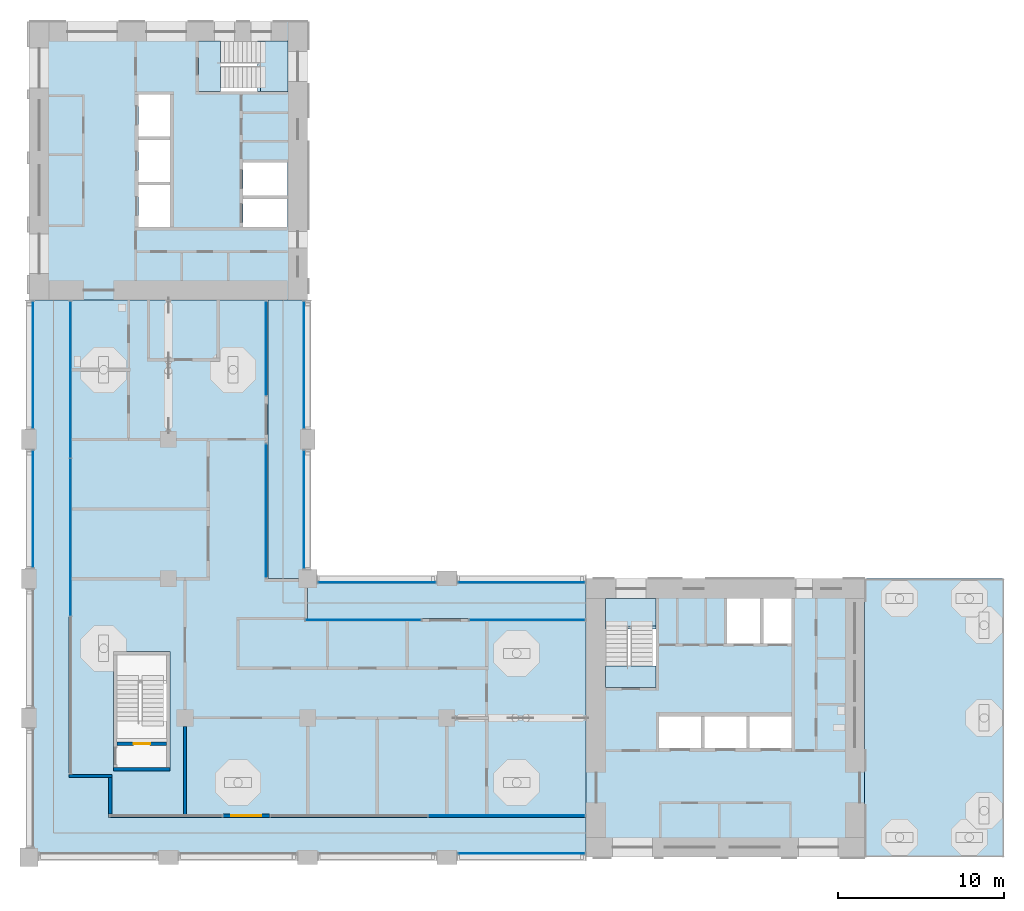
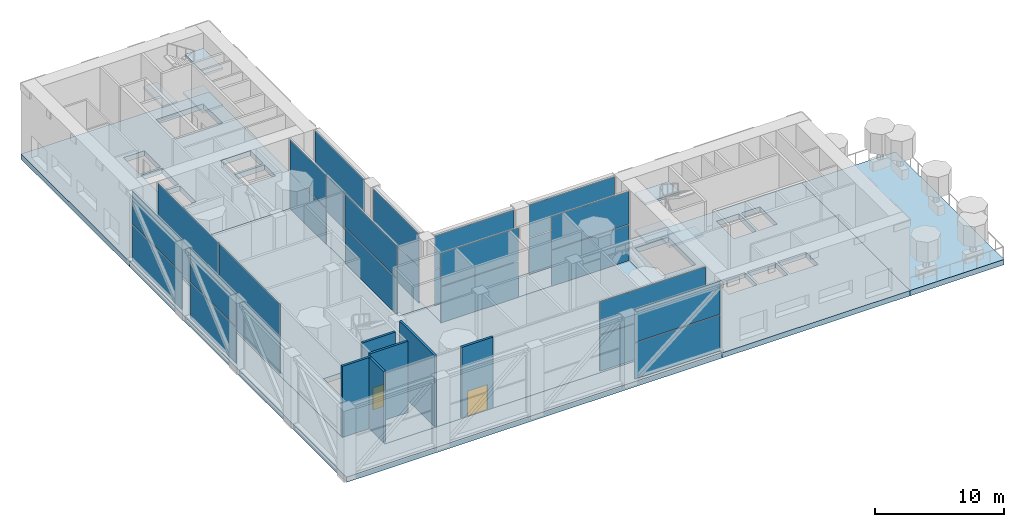
# One storey, part 6 of 20: 28 plates, 13 slabs, 6 walls, 2 doors, 2 openings, 15 elements without a shape of their own.
"""IFC4 building model written with IfcOpenShell, lengths in metres."""

from ifc_helpers import new_model, si_unit, direction, frame, frame_2d, origin, origin_2d, place, context, subcontext, project, spatial, polyline, rectangle, outline, extrude, material, layer, layer_set, type_object, element, fill, aggregate, save


model = new_model("IFC4")

# Units and contexts
model_context = context("Model", 3, precision=1e-05, world=origin(), true_north=direction((0.0, 1.0)))
body_context = subcontext(model_context, "Body", "Model", "MODEL_VIEW")
ifc_project = project(units=[si_unit("LENGTHUNIT", "METRE"), si_unit("AREAUNIT", "SQUARE_METRE"), si_unit("VOLUMEUNIT", "CUBIC_METRE"), si_unit("PLANEANGLEUNIT", "RADIAN"), si_unit("MASSUNIT", "GRAM", prefix="KILO")], contexts=[model_context])

# Site, building, storey
site_placement = place(None, origin())
site = spatial("IfcSite", under=ifc_project, at=site_placement, CompositionType="ELEMENT")
building_placement = place(site_placement, origin())
building = spatial("IfcBuilding", under=site, at=building_placement, Name="Vermilion Gate Residences", CompositionType="ELEMENT")
storey_placement = place(building_placement, frame((0.0, 0.0, 207.199951171875)))
storey = spatial("IfcBuildingStorey", under=building, at=storey_placement, Name="L54", CompositionType="ELEMENT", Elevation=207.199951171875)

# Slabs
ifc_material_1 = material(Name="Concrete C50", Category="concrete")
ifc_layer_1 = layer(ifc_material_1, 0.5)
ifc_layer_set_1 = layer_set([ifc_layer_1], Name="RC CORE FLOOR SLAB 500 C50")
slab_type_1 = type_object("IfcSlabType", Name="RC CORE FLOOR SLAB 500 C50", PredefinedType="FLOOR", material=ifc_layer_set_1)
slab_1_placement = place(storey_placement, frame((0.0, 0.0, -0.5)))
element("IfcSlab", 1, at=slab_1_placement, inside=storey, type_object=slab_type_1, Name="Core floor slab A54", PredefinedType="FLOOR", context=body_context, shape_type="SweptSolid", body=[
    extrude(outline(polyline([(42.0, 8.39990234375), (58.800048828125, 8.39990234375), (58.800048828125, 25.199951171875), (42.0, 25.199951171875), (42.0, 8.39990234375)]), holes=[polyline([(46.39990234375, 15.0), (46.39990234375, 16.89990234375), (48.933349609375, 16.89990234375), (48.933349609375, 15.0), (46.39990234375, 15.0)]), polyline([(49.13330078125, 16.89990234375), (51.666748046875, 16.89990234375), (51.666748046875, 15.0), (49.13330078125, 15.0), (49.13330078125, 16.89990234375)]), polyline([(51.86669921875, 16.89990234375), (54.39990234375, 16.89990234375), (54.39990234375, 15.0), (51.86669921875, 15.0), (51.86669921875, 16.89990234375)]), polyline([(43.199951171875, 19.75), (43.199951171875, 24.0), (46.199951171875, 24.0), (46.199951171875, 19.75), (43.199951171875, 19.75)]), polyline([(50.5, 24.0), (52.5, 24.0), (52.5, 21.300048828125), (50.5, 21.300048828125), (50.5, 24.0)]), polyline([(52.699951171875, 24.0), (54.39990234375, 24.0), (54.39990234375, 21.300048828125), (52.699951171875, 21.300048828125), (52.699951171875, 24.0)])]), origin(), (0.0, 0.0, 1.0), 0.5),
])
slab_2_placement = place(storey_placement, frame((0.0, 0.0, -0.5)))
element("IfcSlab", 2, at=slab_2_placement, inside=storey, type_object=slab_type_1, Name="Core floor slab B54", PredefinedType="FLOOR", context=body_context, shape_type="SweptSolid", body=[
    extrude(outline(polyline([(8.39990234375, 42.0), (25.199951171875, 42.0), (25.199951171875, 58.800048828125), (8.39990234375, 58.800048828125), (8.39990234375, 42.0)]), holes=[polyline([(21.300048828125, 46.39990234375), (21.300048828125, 48.10009765625), (24.0, 48.10009765625), (24.0, 46.39990234375), (21.300048828125, 46.39990234375)]), polyline([(15.0, 48.933349609375), (16.89990234375, 48.933349609375), (16.89990234375, 46.39990234375), (15.0, 46.39990234375), (15.0, 48.933349609375)]), polyline([(21.300048828125, 50.300048828125), (24.0, 50.300048828125), (24.0, 48.300048828125), (21.300048828125, 48.300048828125), (21.300048828125, 50.300048828125)]), polyline([(15.0, 49.13330078125), (15.0, 51.666748046875), (16.89990234375, 51.666748046875), (16.89990234375, 49.13330078125), (15.0, 49.13330078125)]), polyline([(15.0, 54.39990234375), (16.89990234375, 54.39990234375), (16.89990234375, 51.86669921875), (15.0, 51.86669921875), (15.0, 54.39990234375)]), polyline([(19.75, 57.60009765625), (24.0, 57.60009765625), (24.0, 54.60009765625), (19.75, 54.60009765625), (19.75, 57.60009765625)])]), origin(), (0.0, 0.0, 1.0), 0.5),
])
ifc_material_2 = material(Name="Concrete C60 red-oxide pigmented", Category="concrete")
ifc_layer_2 = layer(ifc_material_2, 0.5)
ifc_layer_set_2 = layer_set([ifc_layer_2], Name="RC LOGGIA SLAB 500 C60")
slab_type_2 = type_object("IfcSlabType", Name="RC LOGGIA SLAB 500 C60", PredefinedType="FLOOR", material=ifc_layer_set_2)
slab_3_placement = place(storey_placement, frame((0.0, 0.0, -0.5)))
element("IfcSlab", 3, at=slab_3_placement, inside=storey, type_object=slab_type_2, Name="Loggia slab L54", PredefinedType="FLOOR", context=body_context, shape_type="SweptSolid", body=[
    extrude(outline(polyline([(8.39990234375, 8.39990234375), (42.0, 8.39990234375), (42.0, 10.800048828125), (13.199951171875, 10.800048828125), (13.199951171875, 13.199951171875), (10.800048828125, 13.199951171875), (10.800048828125, 42.0), (8.39990234375, 42.0), (8.39990234375, 8.39990234375)])), origin(), (0.0, 0.0, 1.0), 0.5),
])
slab_4_placement = place(storey_placement, frame((0.0, 0.0, -0.5)))
element("IfcSlab", 4, at=slab_4_placement, inside=storey, type_object=slab_type_2, Name="Loggia slab L54", PredefinedType="FLOOR", context=body_context, shape_type="SweptSolid", body=[
    extrude(outline(polyline([(25.199951171875, 22.800048828125), (42.0, 22.800048828125), (42.0, 25.199951171875), (25.199951171875, 25.199951171875), (25.199951171875, 22.800048828125)])), origin(), (0.0, 0.0, 1.0), 0.5),
])
slab_5_placement = place(storey_placement, frame((0.0, 0.0, -0.5)))
element("IfcSlab", 5, at=slab_5_placement, inside=storey, type_object=slab_type_2, Name="Loggia slab L54", PredefinedType="FLOOR", context=body_context, shape_type="SweptSolid", body=[
    extrude(outline(polyline([(25.199951171875, 42.0), (22.800048828125, 42.0), (22.800048828125, 25.199951171875), (25.199951171875, 25.199951171875), (25.199951171875, 42.0)])), origin(), (0.0, 0.0, 1.0), 0.5),
])
ifc_material_3 = material(Name="Concrete C60", Category="concrete")
ifc_layer_3 = layer(ifc_material_3, 0.5)
ifc_layer_set_3 = layer_set([ifc_layer_3], Name="RC SKY FLOOR SLAB 500 C60")
slab_type_3 = type_object("IfcSlabType", Name="RC SKY FLOOR SLAB 500 C60", PredefinedType="FLOOR", material=ifc_layer_set_3)
slab_6_placement = place(storey_placement, frame((0.0, 0.0, -0.5)))
element("IfcSlab", 6, at=slab_6_placement, inside=storey, type_object=slab_type_3, Name="Floor slab L54", PredefinedType="FLOOR", context=body_context, shape_type="SweptSolid", body=[
    extrude(outline(polyline([(22.800048828125, 25.199951171875), (22.800048828125, 42.0), (10.800048828125, 42.0), (10.800048828125, 13.199951171875), (13.199951171875, 13.199951171875), (13.199951171875, 10.800048828125), (42.0, 10.800048828125), (42.0, 22.800048828125), (25.199951171875, 22.800048828125), (25.199951171875, 25.199951171875), (22.800048828125, 25.199951171875)]), holes=[polyline([(13.5, 13.60009765625), (13.5, 20.800048828125), (16.89990234375, 20.800048828125), (16.89990234375, 13.60009765625), (13.5, 13.60009765625)])]), origin(), (0.0, 0.0, 1.0), 0.5),
])
ifc_material_4 = material(Name="Concrete C60", Category="concrete")
ifc_layer_4 = layer(ifc_material_4, 0.5)
ifc_layer_set_4 = layer_set([ifc_layer_4], Name="RC TERRACE SLAB 500 C60")
slab_type_4 = type_object("IfcSlabType", Name="RC TERRACE SLAB 500 C60", PredefinedType="FLOOR", material=ifc_layer_set_4)
slab_7_placement = place(storey_placement, frame((0.0, 0.0, -0.5)))
element("IfcSlab", 7, at=slab_7_placement, inside=storey, type_object=slab_type_4, Name="Terrace slab L54", PredefinedType="FLOOR", context=body_context, shape_type="SweptSolid", body=[
    extrude(outline(polyline([(67.199951171875, 8.39990234375), (67.199951171875, 25.199951171875), (58.800048828125, 25.199951171875), (58.800048828125, 8.39990234375), (67.199951171875, 8.39990234375)])), origin(), (0.0, 0.0, 1.0), 0.5),
])

# Curtain wall, plates
ifc_material_5 = material(Name="Aluminium and glass", Category="aluminium")
curtain_wall_type = type_object("IfcCurtainWallType", Name="SKY GARDEN GLAZING CURTAIN WALL", PredefinedType="NOTDEFINED", material=ifc_material_5)
curtain_wall_1_placement = place(storey_placement, origin())
curtain_wall_1 = element("IfcCurtainWall", 8, at=curtain_wall_1_placement, inside=storey, type_object=curtain_wall_type, Name="Sky Garden Glazing 0", PredefinedType="NOTDEFINED")
ifc_material_6 = material(Name="Clear laminated glass", Category="glass")
ifc_layer_5 = layer(ifc_material_6, 0.035888671875)
ifc_layer_set_5 = layer_set([ifc_layer_5], Name="SKY GARDEN GLAZING GLASS PANEL 36")
plate_type = type_object("IfcPlateType", Name="SKY GARDEN GLAZING GLASS PANEL 36", PredefinedType="CURTAIN_PANEL", material=ifc_layer_set_5)
plate_1_placement = place(storey_placement, frame((10.89990234375, 37.21337890625, 0.080078125), z_axis=(0.0, 0.0, 1.0), x_axis=(0.0, -1.0, 0.0)))
plate_1 = element("IfcPlate", 9, at=plate_1_placement, type_object=plate_type, Name="ECW3 panel 1.1", PredefinedType="CURTAIN_PANEL", context=body_context, shape_type="SweptSolid", body=[
    extrude(rectangle(XDim=9.413330078125, YDim=0.035888671875, at=origin_2d()), origin(), (0.0, 0.0, 1.0), 3.3798828125),
])
plate_2_placement = place(storey_placement, frame((10.89990234375, 37.21337890625, 3.5400390625), z_axis=(0.0, 0.0, 1.0), x_axis=(0.0, -1.0, 0.0)))
plate_2 = element("IfcPlate", 10, at=plate_2_placement, type_object=plate_type, Name="ECW3 panel 1.2", PredefinedType="CURTAIN_PANEL", context=body_context, shape_type="SweptSolid", body=[
    extrude(rectangle(XDim=9.413330078125, YDim=0.035888671875, at=origin_2d()), origin(), (0.0, 0.0, 1.0), 3.10009765625),
])
plate_3_placement = place(storey_placement, frame((10.89990234375, 27.699951171875, 0.080078125), z_axis=(0.0, 0.0, 1.0), x_axis=(0.0, -1.0, 0.0)))
plate_3 = element("IfcPlate", 11, at=plate_3_placement, type_object=plate_type, Name="ECW3 panel 2.1", PredefinedType="CURTAIN_PANEL", context=body_context, shape_type="SweptSolid", body=[
    extrude(rectangle(XDim=9.453369140625, YDim=0.035888671875, at=origin_2d()), origin(), (0.0, 0.0, 1.0), 3.3798828125),
])
plate_4_placement = place(storey_placement, frame((10.89990234375, 27.699951171875, 3.5400390625), z_axis=(0.0, 0.0, 1.0), x_axis=(0.0, -1.0, 0.0)))
plate_4 = element("IfcPlate", 12, at=plate_4_placement, type_object=plate_type, Name="ECW3 panel 2.2", PredefinedType="CURTAIN_PANEL", context=body_context, shape_type="SweptSolid", body=[
    extrude(rectangle(XDim=9.453369140625, YDim=0.035888671875, at=origin_2d()), origin(), (0.0, 0.0, 1.0), 3.10009765625),
])
aggregate(curtain_wall_1, [plate_1, plate_2, plate_3, plate_4])

curtain_wall_2_placement = place(storey_placement, origin())
curtain_wall_2 = element("IfcCurtainWall", 13, at=curtain_wall_2_placement, inside=storey, type_object=curtain_wall_type, Name="Sky Garden Glazing 32", PredefinedType="NOTDEFINED")
plate_5_placement = place(storey_placement, frame((37.205078125, 10.89990234375, 0.080078125), z_axis=(0.0, 0.0, 1.0), x_axis=(1.0, 0.0, 0.0)))
plate_5 = element("IfcPlate", 14, at=plate_5_placement, type_object=plate_type, Name="ECW3 panel 2.1", PredefinedType="CURTAIN_PANEL", context=body_context, shape_type="SweptSolid", body=[
    extrude(rectangle(XDim=9.429931640625, YDim=0.035888671875, at=origin_2d()), origin(), (0.0, 0.0, 1.0), 3.3798828125),
])
plate_6_placement = place(storey_placement, frame((37.205078125, 10.89990234375, 3.5400390625), z_axis=(0.0, 0.0, 1.0), x_axis=(1.0, 0.0, 0.0)))
plate_6 = element("IfcPlate", 15, at=plate_6_placement, type_object=plate_type, Name="ECW3 panel 2.2", PredefinedType="CURTAIN_PANEL", context=body_context, shape_type="SweptSolid", body=[
    extrude(rectangle(XDim=9.429931640625, YDim=0.035888671875, at=origin_2d()), origin(), (0.0, 0.0, 1.0), 3.10009765625),
])
aggregate(curtain_wall_2, [plate_5, plate_6])

curtain_wall_3_placement = place(storey_placement, origin())
curtain_wall_3 = element("IfcCurtainWall", 16, at=curtain_wall_3_placement, inside=storey, type_object=curtain_wall_type, Name="Sky Garden Glazing 40", PredefinedType="NOTDEFINED")
plate_7_placement = place(storey_placement, frame((38.449951171875, 22.699951171875, 0.080078125), z_axis=(0.0, 0.0, 1.0), x_axis=(-1.0, 0.0, 0.0)))
plate_7 = element("IfcPlate", 17, at=plate_7_placement, type_object=plate_type, Name="ECW3 panel 1.1", PredefinedType="CURTAIN_PANEL", context=body_context, shape_type="SweptSolid", body=[
    extrude(rectangle(XDim=6.93994140625, YDim=0.035888671875, at=origin_2d()), origin(), (0.0, 0.0, 1.0), 3.3798828125),
])
plate_8_placement = place(storey_placement, frame((38.449951171875, 22.699951171875, 3.5400390625), z_axis=(0.0, 0.0, 1.0), x_axis=(-1.0, 0.0, 0.0)))
plate_8 = element("IfcPlate", 18, at=plate_8_placement, type_object=plate_type, Name="ECW3 panel 1.2", PredefinedType="CURTAIN_PANEL", context=body_context, shape_type="SweptSolid", body=[
    extrude(rectangle(XDim=6.93994140625, YDim=0.035888671875, at=origin_2d()), origin(), (0.0, 0.0, 1.0), 3.10009765625),
])
aggregate(curtain_wall_3, [plate_7, plate_8])

curtain_wall_4_placement = place(storey_placement, origin())
curtain_wall_4 = element("IfcCurtainWall", 19, at=curtain_wall_4_placement, inside=storey, type_object=curtain_wall_type, Name="Sky Garden Glazing 42", PredefinedType="NOTDEFINED")
plate_9_placement = place(storey_placement, frame((28.550048828125, 22.699951171875, 0.080078125), z_axis=(0.0, 0.0, 1.0), x_axis=(-1.0, 0.0, 0.0)))
plate_9 = element("IfcPlate", 20, at=plate_9_placement, type_object=plate_type, Name="ECW3 panel 1.1", PredefinedType="CURTAIN_PANEL", context=body_context, shape_type="SweptSolid", body=[
    extrude(rectangle(XDim=6.93994140625, YDim=0.035888671875, at=origin_2d()), origin(), (0.0, 0.0, 1.0), 3.3798828125),
])
plate_10_placement = place(storey_placement, frame((28.550048828125, 22.699951171875, 3.5400390625), z_axis=(0.0, 0.0, 1.0), x_axis=(-1.0, 0.0, 0.0)))
plate_10 = element("IfcPlate", 21, at=plate_10_placement, type_object=plate_type, Name="ECW3 panel 1.2", PredefinedType="CURTAIN_PANEL", context=body_context, shape_type="SweptSolid", body=[
    extrude(rectangle(XDim=6.93994140625, YDim=0.035888671875, at=origin_2d()), origin(), (0.0, 0.0, 1.0), 3.10009765625),
])
aggregate(curtain_wall_4, [plate_9, plate_10])

curtain_wall_5_placement = place(storey_placement, origin())
curtain_wall_5 = element("IfcCurtainWall", 22, at=curtain_wall_5_placement, inside=storey, type_object=curtain_wall_type, Name="Sky Garden Glazing 70", PredefinedType="NOTDEFINED")
plate_11_placement = place(storey_placement, frame((22.699951171875, 29.300048828125, 0.080078125), z_axis=(0.0, 0.0, 1.0), x_axis=(0.0, 1.0, 0.0)))
plate_11 = element("IfcPlate", 23, at=plate_11_placement, type_object=plate_type, Name="ECW3 panel 1.1", PredefinedType="CURTAIN_PANEL", context=body_context, shape_type="SweptSolid", body=[
    extrude(rectangle(XDim=8.0400390625, YDim=0.035888671875, at=origin_2d()), origin(), (0.0, 0.0, 1.0), 3.3798828125),
])
plate_12_placement = place(storey_placement, frame((22.699951171875, 29.300048828125, 3.5400390625), z_axis=(0.0, 0.0, 1.0), x_axis=(0.0, 1.0, 0.0)))
plate_12 = element("IfcPlate", 24, at=plate_12_placement, type_object=plate_type, Name="ECW3 panel 1.2", PredefinedType="CURTAIN_PANEL", context=body_context, shape_type="SweptSolid", body=[
    extrude(rectangle(XDim=8.0400390625, YDim=0.035888671875, at=origin_2d()), origin(), (0.0, 0.0, 1.0), 3.10009765625),
])
aggregate(curtain_wall_5, [plate_11, plate_12])

curtain_wall_6_placement = place(storey_placement, origin())
curtain_wall_6 = element("IfcCurtainWall", 25, at=curtain_wall_6_placement, inside=storey, type_object=curtain_wall_type, Name="Sky Garden Glazing 72", PredefinedType="NOTDEFINED")
plate_13_placement = place(storey_placement, frame((22.699951171875, 39.10009765625, 0.080078125), z_axis=(0.0, 0.0, 1.0), x_axis=(0.0, 1.0, 0.0)))
plate_13 = element("IfcPlate", 26, at=plate_13_placement, type_object=plate_type, Name="ECW3 panel 1.1", PredefinedType="CURTAIN_PANEL", context=body_context, shape_type="SweptSolid", body=[
    extrude(rectangle(XDim=5.639892578125, YDim=0.035888671875, at=origin_2d()), origin(), (0.0, 0.0, 1.0), 3.3798828125),
])
plate_14_placement = place(storey_placement, frame((22.699951171875, 39.10009765625, 3.5400390625), z_axis=(0.0, 0.0, 1.0), x_axis=(0.0, 1.0, 0.0)))
plate_14 = element("IfcPlate", 27, at=plate_14_placement, type_object=plate_type, Name="ECW3 panel 1.2", PredefinedType="CURTAIN_PANEL", context=body_context, shape_type="SweptSolid", body=[
    extrude(rectangle(XDim=5.639892578125, YDim=0.035888671875, at=origin_2d()), origin(), (0.0, 0.0, 1.0), 3.10009765625),
])
aggregate(curtain_wall_6, [plate_13, plate_14])

curtain_wall_7_placement = place(storey_placement, origin())
curtain_wall_7 = element("IfcCurtainWall", 28, at=curtain_wall_7_placement, inside=storey, type_object=curtain_wall_type, Name="Sky Garden Glazing 500", PredefinedType="NOTDEFINED")
plate_15_placement = place(storey_placement, frame((8.6298828125, 38.10009765625, 0.080078125), z_axis=(0.0, 0.0, 1.0), x_axis=(0.0, -1.0, 0.0)))
plate_15 = element("IfcPlate", 29, at=plate_15_placement, type_object=plate_type, Name="ECW3 panel 1.1", PredefinedType="CURTAIN_PANEL", context=body_context, shape_type="SweptSolid", body=[
    extrude(rectangle(XDim=7.639892578125, YDim=0.035888671875, at=origin_2d()), origin(), (0.0, 0.0, 1.0), 3.3798828125),
])
plate_16_placement = place(storey_placement, frame((8.6298828125, 38.10009765625, 3.5400390625), z_axis=(0.0, 0.0, 1.0), x_axis=(0.0, -1.0, 0.0)))
plate_16 = element("IfcPlate", 30, at=plate_16_placement, type_object=plate_type, Name="ECW3 panel 1.2", PredefinedType="CURTAIN_PANEL", context=body_context, shape_type="SweptSolid", body=[
    extrude(rectangle(XDim=7.639892578125, YDim=0.035888671875, at=origin_2d()), origin(), (0.0, 0.0, 1.0), 3.10009765625),
])
aggregate(curtain_wall_7, [plate_15, plate_16])

curtain_wall_8_placement = place(storey_placement, origin())
curtain_wall_8 = element("IfcCurtainWall", 31, at=curtain_wall_8_placement, inside=storey, type_object=curtain_wall_type, Name="Sky Garden Glazing 501", PredefinedType="NOTDEFINED")
plate_17_placement = place(storey_placement, frame((8.6298828125, 29.39990234375, 0.080078125), z_axis=(0.0, 0.0, 1.0), x_axis=(0.0, -1.0, 0.0)))
plate_17 = element("IfcPlate", 32, at=plate_17_placement, type_object=plate_type, Name="ECW3 panel 1.1", PredefinedType="CURTAIN_PANEL", context=body_context, shape_type="SweptSolid", body=[
    extrude(rectangle(XDim=7.0400390625, YDim=0.035888671875, at=origin_2d()), origin(), (0.0, 0.0, 1.0), 3.3798828125),
])
plate_18_placement = place(storey_placement, frame((8.6298828125, 29.39990234375, 3.5400390625), z_axis=(0.0, 0.0, 1.0), x_axis=(0.0, -1.0, 0.0)))
plate_18 = element("IfcPlate", 33, at=plate_18_placement, type_object=plate_type, Name="ECW3 panel 1.2", PredefinedType="CURTAIN_PANEL", context=body_context, shape_type="SweptSolid", body=[
    extrude(rectangle(XDim=7.0400390625, YDim=0.035888671875, at=origin_2d()), origin(), (0.0, 0.0, 1.0), 3.10009765625),
])
aggregate(curtain_wall_8, [plate_17, plate_18])

curtain_wall_9_placement = place(storey_placement, origin())
curtain_wall_9 = element("IfcCurtainWall", 34, at=curtain_wall_9_placement, inside=storey, type_object=curtain_wall_type, Name="Sky Garden Glazing 507", PredefinedType="NOTDEFINED")
plate_19_placement = place(storey_placement, frame((38.10009765625, 8.6298828125, 0.080078125), z_axis=(0.0, 0.0, 1.0), x_axis=(1.0, 0.0, 0.0)))
plate_19 = element("IfcPlate", 35, at=plate_19_placement, type_object=plate_type, Name="ECW3 panel 1.1", PredefinedType="CURTAIN_PANEL", context=body_context, shape_type="SweptSolid", body=[
    extrude(rectangle(XDim=7.639892578125, YDim=0.035888671875, at=origin_2d()), origin(), (0.0, 0.0, 1.0), 3.3798828125),
])
plate_20_placement = place(storey_placement, frame((38.10009765625, 8.6298828125, 3.5400390625), z_axis=(0.0, 0.0, 1.0), x_axis=(1.0, 0.0, 0.0)))
plate_20 = element("IfcPlate", 36, at=plate_20_placement, type_object=plate_type, Name="ECW3 panel 1.2", PredefinedType="CURTAIN_PANEL", context=body_context, shape_type="SweptSolid", body=[
    extrude(rectangle(XDim=7.639892578125, YDim=0.035888671875, at=origin_2d()), origin(), (0.0, 0.0, 1.0), 3.10009765625),
])
aggregate(curtain_wall_9, [plate_19, plate_20])

curtain_wall_10_placement = place(storey_placement, origin())
curtain_wall_10 = element("IfcCurtainWall", 37, at=curtain_wall_10_placement, inside=storey, type_object=curtain_wall_type, Name="Sky Garden Glazing 508", PredefinedType="NOTDEFINED")
plate_21_placement = place(storey_placement, frame((38.10009765625, 24.969970703125, 0.080078125), z_axis=(0.0, 0.0, 1.0), x_axis=(-1.0, 0.0, 0.0)))
plate_21 = element("IfcPlate", 38, at=plate_21_placement, type_object=plate_type, Name="ECW3 panel 1.1", PredefinedType="CURTAIN_PANEL", context=body_context, shape_type="SweptSolid", body=[
    extrude(rectangle(XDim=7.639892578125, YDim=0.035888671875, at=origin_2d()), origin(), (0.0, 0.0, 1.0), 3.3798828125),
])
plate_22_placement = place(storey_placement, frame((38.10009765625, 24.969970703125, 3.5400390625), z_axis=(0.0, 0.0, 1.0), x_axis=(-1.0, 0.0, 0.0)))
plate_22 = element("IfcPlate", 39, at=plate_22_placement, type_object=plate_type, Name="ECW3 panel 1.2", PredefinedType="CURTAIN_PANEL", context=body_context, shape_type="SweptSolid", body=[
    extrude(rectangle(XDim=7.639892578125, YDim=0.035888671875, at=origin_2d()), origin(), (0.0, 0.0, 1.0), 3.10009765625),
])
aggregate(curtain_wall_10, [plate_21, plate_22])

curtain_wall_11_placement = place(storey_placement, origin())
curtain_wall_11 = element("IfcCurtainWall", 40, at=curtain_wall_11_placement, inside=storey, type_object=curtain_wall_type, Name="Sky Garden Glazing 509", PredefinedType="NOTDEFINED")
plate_23_placement = place(storey_placement, frame((29.375, 24.969970703125, 0.080078125), z_axis=(0.0, 0.0, 1.0), x_axis=(-1.0, 0.0, 0.0)))
plate_23 = element("IfcPlate", 41, at=plate_23_placement, type_object=plate_type, Name="ECW3 panel 1.1", PredefinedType="CURTAIN_PANEL", context=body_context, shape_type="SweptSolid", body=[
    extrude(rectangle(XDim=7.090087890625, YDim=0.035888671875, at=origin_2d()), origin(), (0.0, 0.0, 1.0), 3.3798828125),
])
plate_24_placement = place(storey_placement, frame((29.375, 24.969970703125, 3.5400390625), z_axis=(0.0, 0.0, 1.0), x_axis=(-1.0, 0.0, 0.0)))
plate_24 = element("IfcPlate", 42, at=plate_24_placement, type_object=plate_type, Name="ECW3 panel 1.2", PredefinedType="CURTAIN_PANEL", context=body_context, shape_type="SweptSolid", body=[
    extrude(rectangle(XDim=7.090087890625, YDim=0.035888671875, at=origin_2d()), origin(), (0.0, 0.0, 1.0), 3.10009765625),
])
aggregate(curtain_wall_11, [plate_23, plate_24])

curtain_wall_12_placement = place(storey_placement, origin())
curtain_wall_12 = element("IfcCurtainWall", 43, at=curtain_wall_12_placement, inside=storey, type_object=curtain_wall_type, Name="Sky Garden Glazing 510", PredefinedType="NOTDEFINED")
plate_25_placement = place(storey_placement, frame((24.969970703125, 29.375, 0.080078125), z_axis=(0.0, 0.0, 1.0), x_axis=(0.0, 1.0, 0.0)))
plate_25 = element("IfcPlate", 44, at=plate_25_placement, type_object=plate_type, Name="ECW3 panel 1.1", PredefinedType="CURTAIN_PANEL", context=body_context, shape_type="SweptSolid", body=[
    extrude(rectangle(XDim=7.090087890625, YDim=0.035888671875, at=origin_2d()), origin(), (0.0, 0.0, 1.0), 3.3798828125),
])
plate_26_placement = place(storey_placement, frame((24.969970703125, 29.375, 3.5400390625), z_axis=(0.0, 0.0, 1.0), x_axis=(0.0, 1.0, 0.0)))
plate_26 = element("IfcPlate", 45, at=plate_26_placement, type_object=plate_type, Name="ECW3 panel 1.2", PredefinedType="CURTAIN_PANEL", context=body_context, shape_type="SweptSolid", body=[
    extrude(rectangle(XDim=7.090087890625, YDim=0.035888671875, at=origin_2d()), origin(), (0.0, 0.0, 1.0), 3.10009765625),
])
aggregate(curtain_wall_12, [plate_25, plate_26])

curtain_wall_13_placement = place(storey_placement, origin())
curtain_wall_13 = element("IfcCurtainWall", 46, at=curtain_wall_13_placement, inside=storey, type_object=curtain_wall_type, Name="Sky Garden Glazing 511", PredefinedType="NOTDEFINED")
plate_27_placement = place(storey_placement, frame((24.969970703125, 38.10009765625, 0.080078125), z_axis=(0.0, 0.0, 1.0), x_axis=(0.0, 1.0, 0.0)))
plate_27 = element("IfcPlate", 47, at=plate_27_placement, type_object=plate_type, Name="ECW3 panel 1.1", PredefinedType="CURTAIN_PANEL", context=body_context, shape_type="SweptSolid", body=[
    extrude(rectangle(XDim=7.639892578125, YDim=0.035888671875, at=origin_2d()), origin(), (0.0, 0.0, 1.0), 3.3798828125),
])
plate_28_placement = place(storey_placement, frame((24.969970703125, 38.10009765625, 3.5400390625), z_axis=(0.0, 0.0, 1.0), x_axis=(0.0, 1.0, 0.0)))
plate_28 = element("IfcPlate", 48, at=plate_28_placement, type_object=plate_type, Name="ECW3 panel 1.2", PredefinedType="CURTAIN_PANEL", context=body_context, shape_type="SweptSolid", body=[
    extrude(rectangle(XDim=7.639892578125, YDim=0.035888671875, at=origin_2d()), origin(), (0.0, 0.0, 1.0), 3.10009765625),
])
aggregate(curtain_wall_13, [plate_27, plate_28])

# Stair, slabs
ifc_material_7 = material(Name="Concrete C50", Category="concrete")
stair_type = type_object("IfcStairType", Name="SPECIAL ESCAPE STAIR 1300", PredefinedType="HALF_TURN_STAIR", material=ifc_material_7)
stair_1_placement = place(storey_placement, origin())
stair_1 = element("IfcStair", 49, at=stair_1_placement, inside=storey, type_object=stair_type, Name="Special escape stair STA1-54", PredefinedType="HALF_TURN_STAIR")
ifc_material_8 = material(Name="Concrete C50", Category="concrete")
ifc_layer_6 = layer(ifc_material_8, 0.199951171875)
ifc_layer_set_6 = layer_set([ifc_layer_6], Name="STAIR LANDING 200 C50")
slab_type_5 = type_object("IfcSlabType", Name="STAIR LANDING 200 C50", PredefinedType="LANDING", material=ifc_layer_set_6)
slab_8_placement = place(storey_placement, frame((0.0, 0.0, 1.550048828125)))
slab_8 = element("IfcSlab", 50, at=slab_8_placement, type_object=slab_type_5, Name="STA1-54 landing 1", PredefinedType="LANDING", context=body_context, shape_type="SweptSolid", body=[
    extrude(outline(polyline([(46.219970703125, 22.179931640625), (46.219970703125, 24.02001953125), (43.179931640625, 24.02001953125), (43.179931640625, 22.179931640625), (46.219970703125, 22.179931640625)])), origin(), (0.0, 0.0, 1.0), 0.199951171875),
])
slab_9_placement = place(storey_placement, frame((0.0, 0.0, 3.300048828125)))
slab_9 = element("IfcSlab", 51, at=slab_9_placement, type_object=slab_type_5, Name="STA1-54 landing 2", PredefinedType="LANDING", context=body_context, shape_type="SweptSolid", body=[
    extrude(outline(polyline([(46.219970703125, 18.6298828125), (46.219970703125, 19.929931640625), (43.179931640625, 19.929931640625), (43.179931640625, 18.6298828125), (46.219970703125, 18.6298828125)])), origin(), (0.0, 0.0, 1.0), 0.199951171875),
])
slab_10_placement = place(storey_placement, frame((0.0, 0.0, 5.050048828125)))
slab_10 = element("IfcSlab", 52, at=slab_10_placement, type_object=slab_type_5, Name="STA1-54 landing 3", PredefinedType="LANDING", context=body_context, shape_type="SweptSolid", body=[
    extrude(outline(polyline([(46.219970703125, 22.360107421875), (46.219970703125, 24.02001953125), (43.179931640625, 24.02001953125), (43.179931640625, 22.360107421875), (46.219970703125, 22.360107421875)])), origin(), (0.0, 0.0, 1.0), 0.199951171875),
])
aggregate(stair_1, [slab_8, slab_9, slab_10])

stair_2_placement = place(storey_placement, origin())
stair_2 = element("IfcStair", 53, at=stair_2_placement, inside=storey, type_object=stair_type, Name="Special escape stair STB1-54", PredefinedType="HALF_TURN_STAIR")
slab_11_placement = place(storey_placement, frame((0.0, 0.0, 1.550048828125)))
slab_11 = element("IfcSlab", 54, at=slab_11_placement, type_object=slab_type_5, Name="STB1-54 landing 1", PredefinedType="LANDING", context=body_context, shape_type="SweptSolid", body=[
    extrude(outline(polyline([(24.02001953125, 54.580078125), (24.02001953125, 57.6201171875), (22.179931640625, 57.6201171875), (22.179931640625, 54.580078125), (24.02001953125, 54.580078125)])), origin(), (0.0, 0.0, 1.0), 0.199951171875),
])
slab_12_placement = place(storey_placement, frame((0.0, 0.0, 3.300048828125)))
slab_12 = element("IfcSlab", 55, at=slab_12_placement, type_object=slab_type_5, Name="STB1-54 landing 2", PredefinedType="LANDING", context=body_context, shape_type="SweptSolid", body=[
    extrude(outline(polyline([(19.929931640625, 54.580078125), (19.929931640625, 57.6201171875), (18.6298828125, 57.6201171875), (18.6298828125, 54.580078125), (19.929931640625, 54.580078125)])), origin(), (0.0, 0.0, 1.0), 0.199951171875),
])
slab_13_placement = place(storey_placement, frame((0.0, 0.0, 5.050048828125)))
slab_13 = element("IfcSlab", 56, at=slab_13_placement, type_object=slab_type_5, Name="STB1-54 landing 3", PredefinedType="LANDING", context=body_context, shape_type="SweptSolid", body=[
    extrude(outline(polyline([(24.02001953125, 54.580078125), (24.02001953125, 57.6201171875), (22.360107421875, 57.6201171875), (22.360107421875, 54.580078125), (24.02001953125, 54.580078125)])), origin(), (0.0, 0.0, 1.0), 0.199951171875),
])
aggregate(stair_2, [slab_11, slab_12, slab_13])

# Walls
ifc_material_9 = material(Name="Insulated steel stud wall with terracotta rainscreen", Category="masonry")
ifc_layer_7 = layer(ifc_material_9, 0.199951171875)
ifc_layer_set_7 = layer_set([ifc_layer_7], Name="EXTERNAL WALL 200 TERRACOTTA RAINSCREEN")
wall_type_1 = type_object("IfcWallType", Name="EXTERNAL WALL 200 TERRACOTTA RAINSCREEN", PredefinedType="SOLIDWALL", material=ifc_layer_set_7)
wall_1_placement = place(storey_placement, frame((10.800048828125, 13.300048828125, 0.0), z_axis=(0.0, 0.0, 1.0), x_axis=(1.0, 0.0, 0.0)))
element("IfcWall", 57, at=wall_1_placement, inside=storey, type_object=wall_type_1, Name="External wall", PredefinedType="SOLIDWALL", context=body_context, shape_type="SweptSolid", body=[
    extrude(rectangle(XDim=2.599853515625, YDim=0.199951171875, at=frame_2d((1.2998046875, 0.0))), origin(), (0.0, 0.0, 1.0), 6.719970703125),
])
wall_2_placement = place(storey_placement, frame((13.300048828125, 13.199951171875, 0.0), z_axis=(0.0, 0.0, 1.0), x_axis=(0.0, -1.0, 0.0)))
element("IfcWall", 58, at=wall_2_placement, inside=storey, type_object=wall_type_1, Name="External wall", PredefinedType="SOLIDWALL", context=body_context, shape_type="SweptSolid", body=[
    extrude(rectangle(XDim=2.199951171875, YDim=0.199951171875, at=frame_2d((1.10009765625, 0.0))), origin(), (0.0, 0.0, 1.0), 6.719970703125),
])

# Wall, opening, door
wall_3_placement = place(storey_placement, frame((20.10009765625, 10.89990234375, 0.0), z_axis=(0.0, 0.0, 1.0), x_axis=(1.0, 0.0, 0.0)))
wall_3 = element("IfcWall", 59, at=wall_3_placement, inside=storey, type_object=wall_type_1, Name="External wall", PredefinedType="SOLIDWALL", context=body_context, shape_type="SweptSolid", body=[
    extrude(rectangle(XDim=2.7998046875, YDim=0.199951171875, at=frame_2d((1.39990234375, 0.0))), origin(), (0.0, 0.0, 1.0), 6.719970703125),
])
opening_1_placement = place(wall_3_placement, frame((0.5, 0.0, 0.0)))
opening_1 = element("IfcOpeningElement", 60, at=opening_1_placement, cuts=wall_3, Name="Opening DE54001", PredefinedType="OPENING", context=body_context, shape_type="SweptSolid", body=[
    extrude(rectangle(XDim=1.800048828125, YDim=2.39990234375, at=frame_2d((0.89990234375, 1.199951171875))), frame((0.0, 0.10986328125, 0.0), z_axis=(0.0, -1.0, 0.0), x_axis=(1.0, 0.0, 0.0)), (0.0, 0.0, 1.0), 0.219970703125),
])
ifc_material_10 = material(Name="Aluminium and clear glass", Category="aluminium")
door_type_1 = type_object("IfcDoorType", Name="GLAZED EXTERNAL DOOR 1800 X 2400", OperationType="DOUBLE_DOOR_SINGLE_SWING", PredefinedType="DOOR", material=ifc_material_10)
door_1_placement = place(opening_1_placement, frame((1.800048828125, 0.0, 0.0), z_axis=(0.0, 0.0, 1.0), x_axis=(-1.0, 0.0, 0.0)))
door_1 = element("IfcDoor", 61, at=door_1_placement, inside=storey, type_object=door_type_1, Name="Terrace door", OperationType="DOUBLE_DOOR_SINGLE_SWING", OverallHeight=2.39990234375, OverallWidth=1.800048828125, PredefinedType="DOOR", context=body_context, shape_type="SweptSolid", body=[
    extrude(rectangle(XDim=1.800048828125, YDim=2.39990234375, at=frame_2d((0.89990234375, 1.199951171875))), frame((0.0, 0.02490234375, 0.0), z_axis=(0.0, -1.0, 0.0), x_axis=(1.0, 0.0, 0.0)), (0.0, 0.0, 1.0), 0.050048828125),
])
fill(opening_1, door_1)

# Walls
ifc_material_11 = material(Name="Concrete blockwork", Category="masonry")
ifc_layer_8 = layer(ifc_material_11, 0.199951171875)
ifc_layer_set_8 = layer_set([ifc_layer_8], Name="FIRE WALL 200 EI 120 (AMENITY)")
wall_type_2 = type_object("IfcWallType", Name="FIRE WALL 200 EI 120 (AMENITY)", PredefinedType="PARTITIONING", material=ifc_layer_set_8)
wall_4_placement = place(storey_placement, frame((17.800048828125, 10.89990234375, 0.0), z_axis=(0.0, 0.0, 1.0), x_axis=(0.0, 1.0, 0.0)))
element("IfcWall", 62, at=wall_4_placement, inside=storey, type_object=wall_type_2, Name="Fire-resisting wall 12", PredefinedType="PARTITIONING", context=body_context, shape_type="SweptSolid", body=[
    extrude(rectangle(XDim=5.400146484375, YDim=0.199951171875, at=frame_2d((2.7001953125, 0.0))), origin(), (0.0, 0.0, 1.0), 6.719970703125),
])
ifc_material_12 = material(Name="Concrete C60", Category="concrete")
ifc_layer_9 = layer(ifc_material_12, 0.199951171875)
ifc_layer_set_9 = layer_set([ifc_layer_9], Name="RC CORE INTERNAL WALL 200 C60")
wall_type_3 = type_object("IfcWallType", Name="RC CORE INTERNAL WALL 200 C60", PredefinedType="SHEAR", material=ifc_layer_set_9)
wall_5_placement = place(storey_placement, frame((13.5, 13.699951171875, 0.0), z_axis=(0.0, 0.0, 1.0), x_axis=(1.0, 0.0, 0.0)))
element("IfcWall", 63, at=wall_5_placement, inside=storey, type_object=wall_type_3, Name="Core internal wall C54-S", PredefinedType="SHEAR", context=body_context, shape_type="SweptSolid", body=[
    extrude(rectangle(XDim=3.39990234375, YDim=0.199951171875, at=frame_2d((1.699951171875, 0.0))), origin(), (0.0, 0.0, 1.0), 6.719970703125),
])

# Wall, opening, door
wall_6_placement = place(storey_placement, frame((13.699951171875, 15.25, 0.0), z_axis=(0.0, 0.0, 1.0), x_axis=(1.0, 0.0, 0.0)))
wall_6 = element("IfcWall", 64, at=wall_6_placement, inside=storey, type_object=wall_type_3, Name="Core internal wall C54-P", PredefinedType="SHEAR", context=body_context, shape_type="SweptSolid", body=[
    extrude(rectangle(XDim=3.0, YDim=0.199951171875, at=frame_2d((1.5, 0.0))), origin(), (0.0, 0.0, 1.0), 6.719970703125),
])
opening_2_placement = place(wall_6_placement, frame((1.0, 0.0, 0.0)))
opening_2 = element("IfcOpeningElement", 65, at=opening_2_placement, cuts=wall_6, Name="Opening DK54202", PredefinedType="OPENING", context=body_context, shape_type="SweptSolid", body=[
    extrude(rectangle(XDim=1.0, YDim=2.10009765625, at=frame_2d((0.5, 1.050048828125))), frame((0.0, 0.10986328125, 0.0), z_axis=(0.0, -1.0, 0.0), x_axis=(1.0, 0.0, 0.0)), (0.0, 0.0, 1.0), 0.219970703125),
])
ifc_material_13 = material(Name="Steel", Category="steel")
door_type_2 = type_object("IfcDoorType", Name="FIRE DOOR FD60 1000 X 2100", OperationType="SINGLE_SWING_LEFT", PredefinedType="DOOR", material=ifc_material_13)
door_2_placement = place(opening_2_placement, origin())
door_2 = element("IfcDoor", 66, at=door_2_placement, inside=storey, type_object=door_type_2, Name="Stair door C54", OperationType="SINGLE_SWING_LEFT", OverallHeight=2.10009765625, OverallWidth=1.0, PredefinedType="DOOR", context=body_context, shape_type="SweptSolid", body=[
    extrude(rectangle(XDim=1.0, YDim=2.10009765625, at=frame_2d((0.5, 1.050048828125))), frame((0.0, 0.02490234375, 0.0), z_axis=(0.0, -1.0, 0.0), x_axis=(1.0, 0.0, 0.0)), (0.0, 0.0, 1.0), 0.050048828125),
])
fill(opening_2, door_2)

save(model, "model.ifc")
